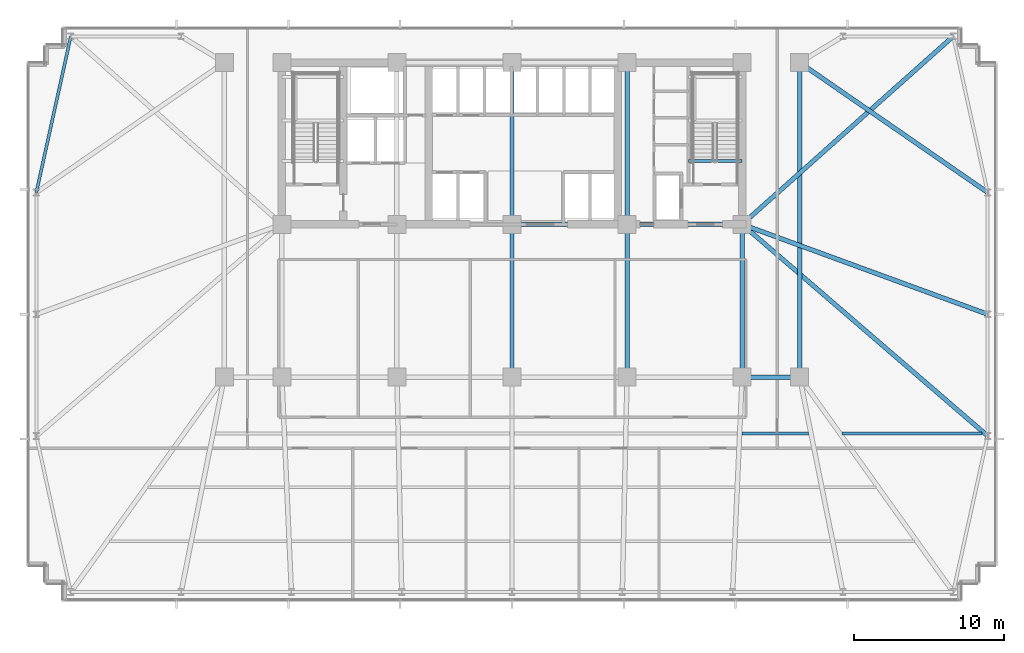
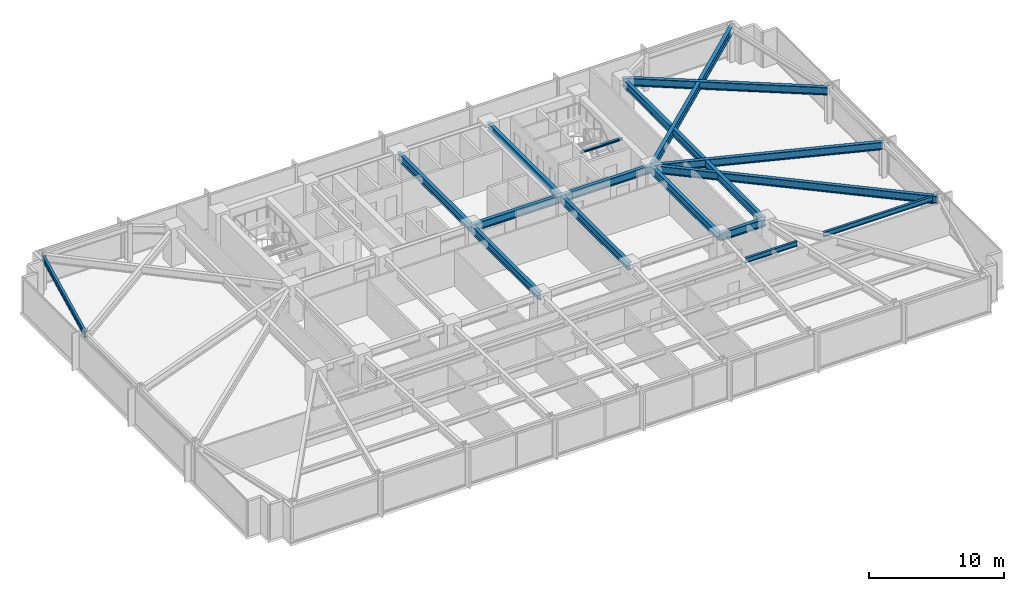
# One storey, part 16 of 33: 17 beams.
"""IFC4 building model written with IfcOpenShell, lengths in metres."""

from ifc_helpers import new_model, si_unit, direction, frame, origin, origin_2d, place, context, subcontext, project, spatial, i_section, extrude, material, material_profile, profile_set, type_object, element, save


model = new_model("IFC4")

# Units and contexts
model_context = context("Model", 3, precision=1e-05, world=origin(), true_north=direction((0.0, 1.0)))
body_context = subcontext(model_context, "Body", "Model", "MODEL_VIEW")
ifc_project = project(units=[si_unit("LENGTHUNIT", "METRE"), si_unit("AREAUNIT", "SQUARE_METRE"), si_unit("VOLUMEUNIT", "CUBIC_METRE"), si_unit("PLANEANGLEUNIT", "RADIAN"), si_unit("MASSUNIT", "GRAM", prefix="KILO")], contexts=[model_context])

# Site, building, storey
site_placement = place(None, origin())
site = spatial("IfcSite", under=ifc_project, at=site_placement, CompositionType="ELEMENT")
building_placement = place(site_placement, origin())
building = spatial("IfcBuilding", under=site, at=building_placement, Name="Yelkora Congress Tower", CompositionType="ELEMENT")
storey_placement = place(building_placement, frame((0.0, 0.0, 71.199951171875)))
storey = spatial("IfcBuildingStorey", under=building, at=storey_placement, Name="L18", CompositionType="ELEMENT", Elevation=71.199951171875)

# Beams
ifc_material = material(Name="Steel S355J2", Category="steel")
ifc_material_profile_1 = material_profile(ifc_material, i_section(OverallWidth=0.300048828125, OverallDepth=0.699951171875, WebThickness=0.01708984375, FlangeThickness=0.031982421875, FilletRadius=0.027099609375, at=origin_2d()), Name="HEB 700")
ifc_profile_set_1 = profile_set([ifc_material_profile_1], Name="Steel S355J2")
beam_type_1 = type_object("IfcBeamType", Name="BM-GIRD-HEB700", PredefinedType="BEAM", material=ifc_profile_set_1)
beam_1_placement = place(storey_placement, frame((53.760009765625, 25.199951171875, 2.830078125), z_axis=(1.0, 0.0, 0.0), x_axis=(0.0, 1.0, 0.0)))
element("IfcBeam", 1, at=beam_1_placement, inside=storey, type_object=beam_type_1, Name="L18 Spine Grid D Girder 6", PredefinedType="BEAM", context=body_context, shape_type="SweptSolid", body=[
    extrude(i_section(OverallWidth=0.300048828125, OverallDepth=0.699951171875, WebThickness=0.01708984375, FlangeThickness=0.031982421875, FilletRadius=0.027099609375, at=origin_2d()), origin(), (0.0, 0.0, 1.0), 3.840087890625),
])
beam_2_placement = place(storey_placement, frame((38.39990234375, 35.39990234375, 2.830078125), z_axis=(1.0, 0.0, 0.0), x_axis=(0.0, 1.0, 0.0)))
element("IfcBeam", 2, at=beam_2_placement, inside=storey, type_object=beam_type_1, Name="L18 Core South Girder 3", PredefinedType="BEAM", context=body_context, shape_type="SweptSolid", body=[
    extrude(i_section(OverallWidth=0.300048828125, OverallDepth=0.699951171875, WebThickness=0.01708984375, FlangeThickness=0.031982421875, FilletRadius=0.027099609375, at=origin_2d()), origin(), (0.0, 0.0, 1.0), 7.68017578125),
])
beam_3_placement = place(storey_placement, frame((46.080078125, 35.39990234375, 2.830078125), z_axis=(1.0, 0.0, 0.0), x_axis=(0.0, 1.0, 0.0)))
element("IfcBeam", 3, at=beam_3_placement, inside=storey, type_object=beam_type_1, Name="L18 Core South Girder 4", PredefinedType="BEAM", context=body_context, shape_type="SweptSolid", body=[
    extrude(i_section(OverallWidth=0.300048828125, OverallDepth=0.699951171875, WebThickness=0.01708984375, FlangeThickness=0.031982421875, FilletRadius=0.027099609375, at=origin_2d()), origin(), (0.0, 0.0, 1.0), 7.679931640625),
])
beam_4_placement = place(storey_placement, frame((38.39990234375, 25.199951171875, 2.830078125), z_axis=(0.0, 1.0, 0.0), x_axis=(-1.0, 0.0, 0.0)))
element("IfcBeam", 4, at=beam_4_placement, inside=storey, type_object=beam_type_1, Name="L18 Core Tie Girder MC-D3", PredefinedType="BEAM", context=body_context, shape_type="SweptSolid", body=[
    extrude(i_section(OverallWidth=0.300048828125, OverallDepth=0.699951171875, WebThickness=0.01708984375, FlangeThickness=0.031982421875, FilletRadius=0.027099609375, at=origin_2d()), origin(), (0.0, 0.0, 1.0), 10.199951171875),
])
beam_5_placement = place(storey_placement, frame((38.39990234375, 35.39990234375, 2.830078125), z_axis=(0.0, 1.0, 0.0), x_axis=(-1.0, 0.0, 0.0)))
element("IfcBeam", 5, at=beam_5_placement, inside=storey, type_object=beam_type_1, Name="L18 Core Tie Girder MC-S3", PredefinedType="BEAM", context=body_context, shape_type="SweptSolid", body=[
    extrude(i_section(OverallWidth=0.300048828125, OverallDepth=0.699951171875, WebThickness=0.01708984375, FlangeThickness=0.031982421875, FilletRadius=0.027099609375, at=origin_2d()), origin(), (0.0, 0.0, 1.0), 10.800048828125),
])
beam_6_placement = place(storey_placement, frame((46.080078125, 25.199951171875, 2.830078125), z_axis=(0.0, 1.0, 0.0), x_axis=(-1.0, 0.0, 0.0)))
element("IfcBeam", 6, at=beam_6_placement, inside=storey, type_object=beam_type_1, Name="L18 Core Tie Girder MC-D4", PredefinedType="BEAM", context=body_context, shape_type="SweptSolid", body=[
    extrude(i_section(OverallWidth=0.300048828125, OverallDepth=0.699951171875, WebThickness=0.01708984375, FlangeThickness=0.031982421875, FilletRadius=0.027099609375, at=origin_2d()), origin(), (0.0, 0.0, 1.0), 10.199951171875),
])
beam_7_placement = place(storey_placement, frame((46.080078125, 35.39990234375, 2.830078125), z_axis=(0.0, 1.0, 0.0), x_axis=(-1.0, 0.0, 0.0)))
element("IfcBeam", 7, at=beam_7_placement, inside=storey, type_object=beam_type_1, Name="L18 Core Tie Girder MC-S4", PredefinedType="BEAM", context=body_context, shape_type="SweptSolid", body=[
    extrude(i_section(OverallWidth=0.300048828125, OverallDepth=0.699951171875, WebThickness=0.01708984375, FlangeThickness=0.031982421875, FilletRadius=0.027099609375, at=origin_2d()), origin(), (0.0, 0.0, 1.0), 10.800048828125),
])
beam_8_placement = place(storey_placement, frame((53.760009765625, 25.199951171875, 2.830078125), z_axis=(0.0, 1.0, 0.0), x_axis=(-1.0, 0.0, 0.0)))
element("IfcBeam", 8, at=beam_8_placement, inside=storey, type_object=beam_type_1, Name="L18 Core Tie Girder MC-D5", PredefinedType="BEAM", context=body_context, shape_type="SweptSolid", body=[
    extrude(i_section(OverallWidth=0.300048828125, OverallDepth=0.699951171875, WebThickness=0.01708984375, FlangeThickness=0.031982421875, FilletRadius=0.027099609375, at=origin_2d()), origin(), (0.0, 0.0, 1.0), 10.199951171875),
])
beam_9_placement = place(storey_placement, frame((57.60009765625, 25.199951171875, 2.830078125), z_axis=(0.0, 1.0, 0.0), x_axis=(-1.0, 0.0, 0.0)))
element("IfcBeam", 9, at=beam_9_placement, inside=storey, type_object=beam_type_1, Name="L18 Neck Flank Girder MC-F2", PredefinedType="BEAM", context=body_context, shape_type="SweptSolid", body=[
    extrude(i_section(OverallWidth=0.300048828125, OverallDepth=0.699951171875, WebThickness=0.01708984375, FlangeThickness=0.031982421875, FilletRadius=0.027099609375, at=origin_2d()), origin(), (0.0, 0.0, 1.0), 21.0),
])
beam_10_placement = place(storey_placement, frame((67.85009765625, 47.949951171875, 2.830078125), z_axis=(-0.746737189621, -0.665119214605, 0.0), x_axis=(0.665119214605, -0.746737189621, 0.0)))
element("IfcBeam", 10, at=beam_10_placement, inside=storey, type_object=beam_type_1, Name="L18 Primary Frame Girder N09", PredefinedType="BEAM", context=body_context, shape_type="SweptSolid", body=[
    extrude(i_section(OverallWidth=0.300048828125, OverallDepth=0.699951171875, WebThickness=0.01708984375, FlangeThickness=0.031982421875, FilletRadius=0.027099609375, at=origin_2d()), origin(), (0.0, 0.0, 1.0), 18.868896484375),
])
beam_11_placement = place(storey_placement, frame((70.14990234375, 21.27490234375, 2.830078125), z_axis=(-0.757506357109, 0.652827786586, 0.0), x_axis=(-0.652827786586, -0.757506357109, 0.0)))
element("IfcBeam", 11, at=beam_11_placement, inside=storey, type_object=beam_type_1, Name="L18 Primary Frame Girder E01", PredefinedType="BEAM", context=body_context, shape_type="SweptSolid", body=[
    extrude(i_section(OverallWidth=0.300048828125, OverallDepth=0.699951171875, WebThickness=0.01708984375, FlangeThickness=0.031982421875, FilletRadius=0.027099609375, at=origin_2d()), origin(), (0.0, 0.0, 1.0), 21.63671875),
])
beam_12_placement = place(storey_placement, frame((70.14990234375, 29.39990234375, 2.830078125), z_axis=(-0.939054471542, 0.343768380567, 0.0), x_axis=(-0.343768380567, -0.939054471542, 0.0)))
element("IfcBeam", 12, at=beam_12_placement, inside=storey, type_object=beam_type_1, Name="L18 Primary Frame Girder E02", PredefinedType="BEAM", context=body_context, shape_type="SweptSolid", body=[
    extrude(i_section(OverallWidth=0.300048828125, OverallDepth=0.699951171875, WebThickness=0.01708984375, FlangeThickness=0.031982421875, FilletRadius=0.027099609375, at=origin_2d()), origin(), (0.0, 0.0, 1.0), 17.45361328125),
])
beam_13_placement = place(storey_placement, frame((70.14990234375, 37.52490234375, 2.830078125), z_axis=(-0.822599280139, 0.568621512357, 0.0), x_axis=(-0.568621512357, -0.822599280139, 0.0)))
element("IfcBeam", 13, at=beam_13_placement, inside=storey, type_object=beam_type_1, Name="L18 Primary Frame Girder E03", PredefinedType="BEAM", context=body_context, shape_type="SweptSolid", body=[
    extrude(i_section(OverallWidth=0.300048828125, OverallDepth=0.699951171875, WebThickness=0.01708984375, FlangeThickness=0.031982421875, FilletRadius=0.027099609375, at=origin_2d()), origin(), (0.0, 0.0, 1.0), 15.25634765625),
])
ifc_material_profile_2 = material_profile(ifc_material, i_section(OverallWidth=0.18994140625, OverallDepth=0.449951171875, WebThickness=0.009521484375, FlangeThickness=0.0146484375, FilletRadius=0.02099609375, at=origin_2d()), Name="IPE 450")
ifc_profile_set_2 = profile_set([ifc_material_profile_2], Name="Steel S355J2")
beam_type_2 = type_object("IfcBeamType", Name="BM-JOIST-IPE450", PredefinedType="JOIST", material=ifc_profile_set_2)
beam_14_placement = place(storey_placement, frame((53.754150390625, 21.449951171875, 2.955078125), z_axis=(1.0, 0.0, 0.0), x_axis=(0.0, 1.0, 0.0)))
element("IfcBeam", 14, at=beam_14_placement, inside=storey, type_object=beam_type_2, Name="L18 Composite Floor Joist 22", PredefinedType="JOIST", context=body_context, shape_type="SweptSolid", body=[
    extrude(i_section(OverallWidth=0.18994140625, OverallDepth=0.449951171875, WebThickness=0.009521484375, FlangeThickness=0.0146484375, FilletRadius=0.02099609375, at=origin_2d()), origin(), (0.0, 0.0, 1.0), 4.4404296875),
])
beam_15_placement = place(storey_placement, frame((60.438720703125, 21.449951171875, 2.955078125), z_axis=(1.0, 0.0, 0.0), x_axis=(0.0, 1.0, 0.0)))
element("IfcBeam", 15, at=beam_15_placement, inside=storey, type_object=beam_type_2, Name="L18 Composite Floor Joist 23", PredefinedType="JOIST", context=body_context, shape_type="SweptSolid", body=[
    extrude(i_section(OverallWidth=0.18994140625, OverallDepth=0.449951171875, WebThickness=0.009521484375, FlangeThickness=0.0146484375, FilletRadius=0.02099609375, at=origin_2d()), origin(), (0.0, 0.0, 1.0), 9.34814453125),
])
ifc_material_profile_3 = material_profile(ifc_material, i_section(OverallWidth=0.199951171875, OverallDepth=0.18994140625, WebThickness=0.006591796875, FlangeThickness=0.010009765625, FilletRadius=0.01806640625, at=origin_2d()), Name="HEA 200")
ifc_profile_set_3 = profile_set([ifc_material_profile_3], Name="Steel S355J2")
beam_type_3 = type_object("IfcBeamType", Name="BM-LAND-HEA200", PredefinedType="BEAM", material=ifc_profile_set_3)
beam_16_placement = place(storey_placement, frame((50.179931640625, 39.639892578125, 2.947509765625), z_axis=(1.0, 0.0, 0.0), x_axis=(0.0, 1.0, 0.0)))
element("IfcBeam", 16, at=beam_16_placement, inside=storey, type_object=beam_type_3, Name="ST-02 L18 Floor Arrival Stringer Header Beam", PredefinedType="BEAM", context=body_context, shape_type="SweptSolid", body=[
    extrude(i_section(OverallWidth=0.199951171875, OverallDepth=0.18994140625, WebThickness=0.006591796875, FlangeThickness=0.010009765625, FilletRadius=0.01806640625, at=origin_2d()), origin(), (0.0, 0.0, 1.0), 3.580078125),
])
ifc_material_profile_4 = material_profile(ifc_material, i_section(OverallWidth=0.199951171875, OverallDepth=0.5, WebThickness=0.01025390625, FlangeThickness=0.01611328125, FilletRadius=0.02099609375, at=origin_2d()), Name="IPE 500")
ifc_profile_set_4 = profile_set([ifc_material_profile_4], Name="Steel S355J2")
beam_type_4 = type_object("IfcBeamType", Name="BM-SPAN-IPE500", PredefinedType="SPANDREL", material=ifc_profile_set_4)
beam_17_placement = place(storey_placement, frame((8.949951171875, 47.949951171875, 2.929931640625), z_axis=(-0.215445894778, -0.976515778891, 0.0), x_axis=(0.976515778891, -0.215445894778, 0.0)))
element("IfcBeam", 17, at=beam_17_placement, inside=storey, type_object=beam_type_4, Name="L18 Perimeter Beam 17", PredefinedType="SPANDREL", context=body_context, shape_type="SweptSolid", body=[
    extrude(i_section(OverallWidth=0.199951171875, OverallDepth=0.5, WebThickness=0.01025390625, FlangeThickness=0.01611328125, FilletRadius=0.02099609375, at=origin_2d()), origin(), (0.0, 0.0, 1.0), 10.67578125),
])

save(model, "model.ifc")
